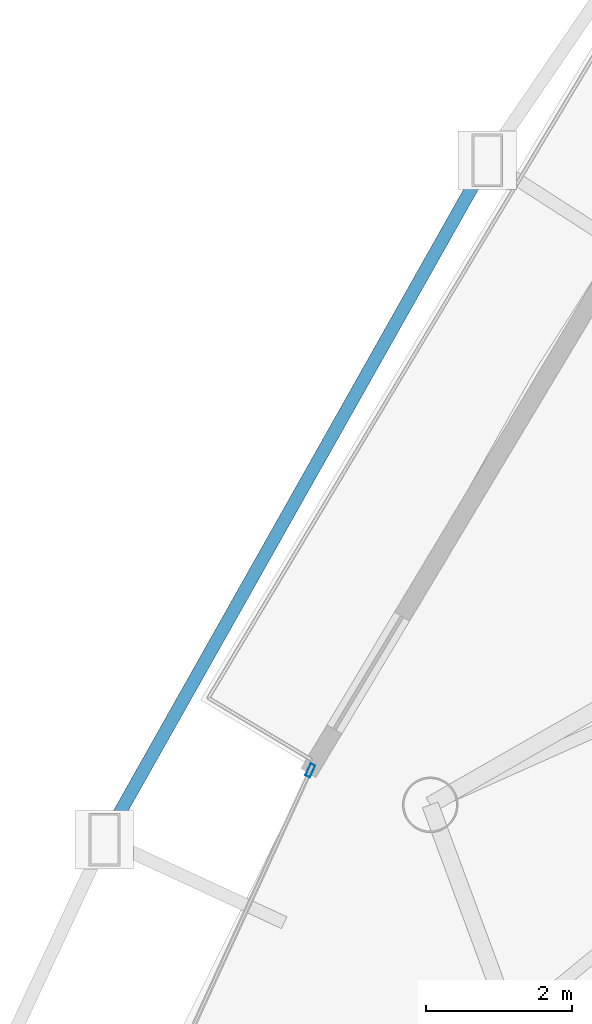
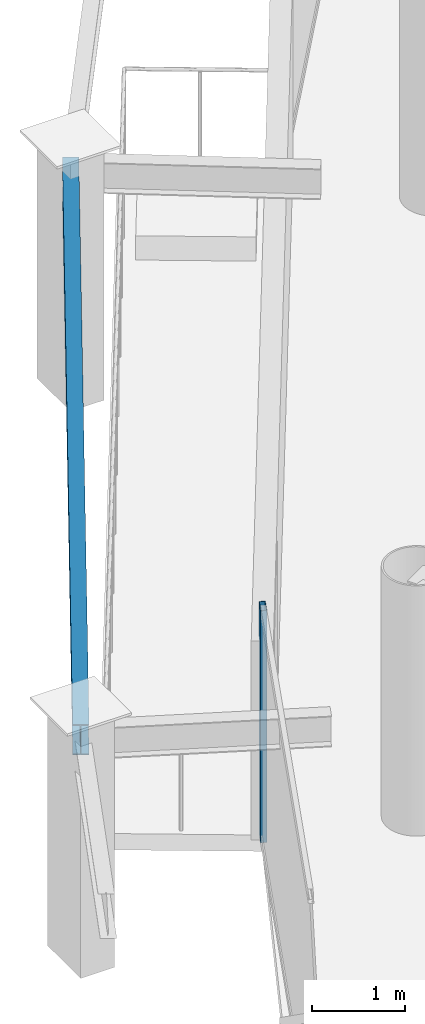
# One storey, part 10 of 33: 1 beam, 1 member, 1 element without a shape of its own.
"""IFC4 building model written with IfcOpenShell, lengths in metres."""

from ifc_helpers import new_model, si_unit, direction, frame, origin, origin_2d, place, context, subcontext, project, spatial, hollow_rectangle, i_section, extrude, material, layer, layer_set, material_profile, profile_set, type_object, element, aggregate, save


model = new_model("IFC4")

# Units and contexts
model_context = context("Model", 3, precision=1e-05, world=origin(), true_north=direction((0.0, 1.0)))
body_context = subcontext(model_context, "Body", "Model", "MODEL_VIEW")
ifc_project = project(units=[si_unit("LENGTHUNIT", "METRE"), si_unit("AREAUNIT", "SQUARE_METRE"), si_unit("VOLUMEUNIT", "CUBIC_METRE"), si_unit("PLANEANGLEUNIT", "RADIAN"), si_unit("MASSUNIT", "GRAM", prefix="KILO")], contexts=[model_context])

# Site, building, storey
site_placement = place(None, origin())
site = spatial("IfcSite", under=ifc_project, at=site_placement, CompositionType="ELEMENT")
building_placement = place(site_placement, origin())
building = spatial("IfcBuilding", under=site, at=building_placement, Name="Orvanel Arch Residences", CompositionType="ELEMENT")
storey_placement = place(building_placement, frame((0.0, 0.0, 70.85009765625)))
storey = spatial("IfcBuildingStorey", under=building, at=storey_placement, Name="L19", CompositionType="ELEMENT", Elevation=70.85009765625)

# Curtain wall, member
ifc_material_1 = material(Name="Bronze-anodised aluminium AA6063-T6", Category="aluminium")
ifc_layer = layer(ifc_material_1, 0.179931640625)
ifc_layer_set = layer_set([ifc_layer], Name="Bronze-anodised aluminium AA6063-T6")
curtain_wall_type = type_object("IfcCurtainWallType", Name="CW2-LOW-SYS", PredefinedType="NOTDEFINED", material=ifc_layer_set)
curtain_wall_placement = place(storey_placement, origin())
curtain_wall = element("IfcCurtainWall", 1, at=curtain_wall_placement, inside=storey, type_object=curtain_wall_type, Name="L19 CW2-LOW-SYS Unitised Curtain Wall", PredefinedType="NOTDEFINED")
ifc_material_profile_1 = material_profile(ifc_material_1, hollow_rectangle(XDim=0.070068359375, YDim=0.179931640625, WallThickness=0.00439453125, at=origin_2d()), Name="ALU180x70x4.5")
ifc_profile_set_1 = profile_set([ifc_material_profile_1], Name="Bronze-anodised aluminium AA6063-T6")
member_type = type_object("IfcMemberType", Name="MUL-180x70", PredefinedType="MULLION", material=ifc_profile_set_1)
member_placement = place(storey_placement, frame((13.0185546875, 24.72705078125, 0.0), z_axis=(0.0, 0.0, 1.0), x_axis=(0.909506848006, -0.415688938305, 0.0)))
member = element("IfcMember", 2, at=member_placement, type_object=member_type, Name="CW-S2 mullion 1", PredefinedType="MULLION", context=body_context, shape_type="SweptSolid", body=[
    extrude(hollow_rectangle(XDim=0.070068359375, YDim=0.179931640625, WallThickness=0.00439453125, at=origin_2d()), origin(), (0.0, 0.0, 1.0), 3.059814453125),
])
aggregate(curtain_wall, [member])

# Beam
ifc_material_2 = material(Name="Structural steel AS/NZS 3679.1 Grade 300 (300 MPa)", Category="steel")
ifc_material_profile_2 = material_profile(ifc_material_2, i_section(OverallWidth=0.177978515625, OverallDepth=0.406005859375, WebThickness=0.0078125, FlangeThickness=0.0126953125, at=origin_2d()), Name="410UB59.7")
ifc_profile_set_2 = profile_set([ifc_material_profile_2], Name="Structural steel AS/NZS 3679.1 Grade 300 (300 MPa)")
beam_type = type_object("IfcBeamType", Name="OB-410UB-EXT", PredefinedType="SPANDREL", material=ifc_profile_set_2)
beam_placement = place(storey_placement, frame((15.445068359375, 33.0869140625, 2.85693359375), z_axis=(-0.491002028117, -0.871158428981, 0.0), x_axis=(0.871158428981, -0.491002028117, 0.0)))
element("IfcBeam", 3, at=beam_placement, inside=storey, type_object=beam_type, Name="L19 Outer Perimeter Floor Ring Beam 02", PredefinedType="SPANDREL", context=body_context, shape_type="SweptSolid", body=[
    extrude(i_section(OverallWidth=0.177978515625, OverallDepth=0.406005859375, WebThickness=0.0078125, FlangeThickness=0.0126953125, at=origin_2d()), origin(), (0.0, 0.0, 1.0), 10.6845703125),
])

save(model, "model.ifc")
